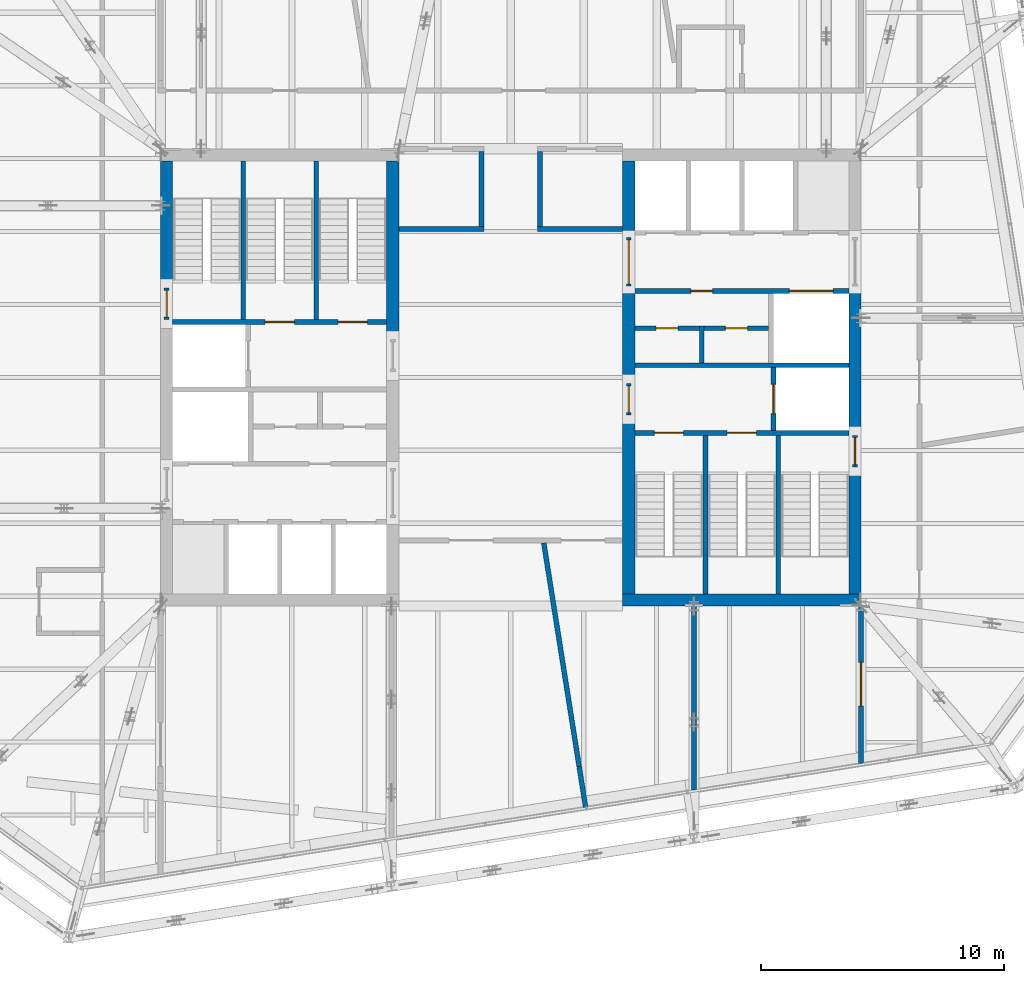
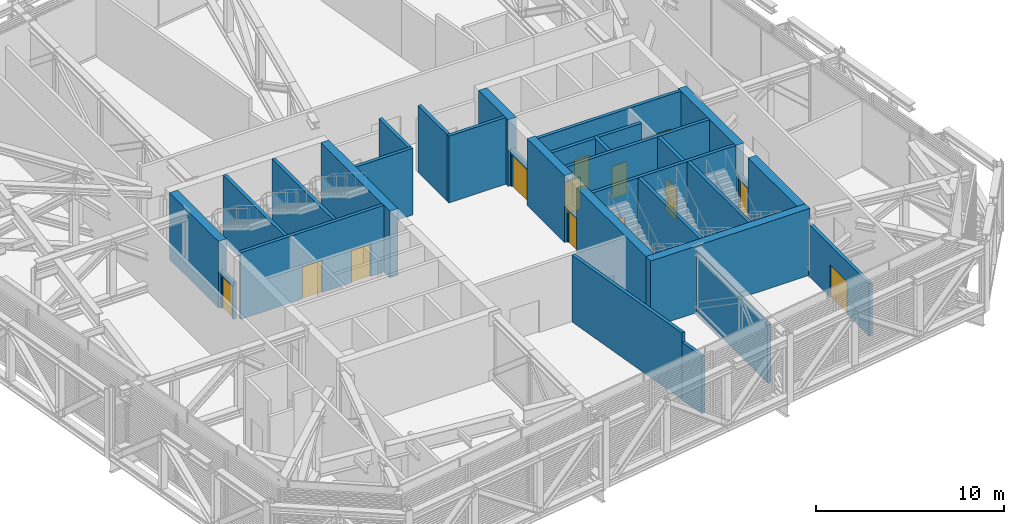
# One storey, part 22 of 32: 31 walls, 14 doors, 14 openings.
"""IFC4 building model written with IfcOpenShell, lengths in metres."""

from ifc_helpers import new_model, si_unit, direction, frame, frame_2d, origin, place, context, subcontext, project, spatial, rectangle, extrude, material, layer, layer_set, type_object, element, fill, save


model = new_model("IFC4")

# Units and contexts
model_context = context("Model", 3, precision=1e-05, world=origin(), true_north=direction((0.0, 1.0)))
body_context = subcontext(model_context, "Body", "Model", "MODEL_VIEW")
ifc_project = project(units=[si_unit("LENGTHUNIT", "METRE"), si_unit("AREAUNIT", "SQUARE_METRE"), si_unit("VOLUMEUNIT", "CUBIC_METRE"), si_unit("PLANEANGLEUNIT", "RADIAN"), si_unit("MASSUNIT", "GRAM", prefix="KILO")], contexts=[model_context])

# Site, building, storey
site_placement = place(None, origin())
site = spatial("IfcSite", under=ifc_project, at=site_placement, CompositionType="ELEMENT")
building_placement = place(site_placement, origin())
building = spatial("IfcBuilding", under=site, at=building_placement, Name="Millrace Tower", CompositionType="ELEMENT")
storey_placement = place(building_placement, frame((0.0, 0.0, 266.89990234375)))
storey = spatial("IfcBuildingStorey", under=building, at=storey_placement, Name="L61", CompositionType="ELEMENT", Elevation=266.89990234375)

# Walls
ifc_material_1 = material(Name="Concrete C60", Category="concrete")
ifc_layer_1 = layer(ifc_material_1, 0.5)
ifc_layer_set_1 = layer_set([ifc_layer_1], Name="Concrete C60")
wall_type_1 = type_object("IfcWallType", Name="Core wall 500 Concrete C60", PredefinedType="SHEAR", material=ifc_layer_set_1)
wall_1_placement = place(storey_placement, frame((-14.14990234375, 3.679931640625, 0.0), z_axis=(0.0, 0.0, 1.0), x_axis=(0.0, 1.0, 0.0)))
element("IfcWall", 1, at=wall_1_placement, inside=storey, type_object=wall_type_1, Name="Core wall W L61", PredefinedType="SHEAR", context=body_context, shape_type="SweptSolid", body=[
    extrude(rectangle(XDim=5.219970703125, YDim=0.5, at=frame_2d((2.60986328125, 0.0))), origin(), (0.0, 0.0, 1.0), 4.340087890625),
])
wall_2_placement = place(storey_placement, frame((-4.85009765625, 1.550048828125, 0.0), z_axis=(0.0, 0.0, 1.0), x_axis=(0.0, 1.0, 0.0)))
element("IfcWall", 2, at=wall_2_placement, inside=storey, type_object=wall_type_1, Name="Core wall W L61", PredefinedType="SHEAR", context=body_context, shape_type="SweptSolid", body=[
    extrude(rectangle(XDim=7.349853515625, YDim=0.5, at=frame_2d((3.6748046875, 0.0))), origin(), (0.0, 0.0, 1.0), 4.340087890625),
])
wall_3_placement = place(storey_placement, frame((14.39990234375, -9.14990234375, 0.0), z_axis=(0.0, 0.0, 1.0), x_axis=(-1.0, 0.0, 0.0)))
element("IfcWall", 3, at=wall_3_placement, inside=storey, type_object=wall_type_1, Name="Core wall E L61", PredefinedType="SHEAR", context=body_context, shape_type="SweptSolid", body=[
    extrude(rectangle(XDim=9.7998046875, YDim=0.5, at=frame_2d((4.89990234375, 0.0))), origin(), (0.0, 0.0, 1.0), 4.340087890625),
])
wall_4_placement = place(storey_placement, frame((14.14990234375, 3.75, 0.0), z_axis=(0.0, 0.0, 1.0), x_axis=(0.0, -1.0, 0.0)))
element("IfcWall", 4, at=wall_4_placement, inside=storey, type_object=wall_type_1, Name="Core wall E L61", PredefinedType="SHEAR", context=body_context, shape_type="SweptSolid", body=[
    extrude(rectangle(XDim=6.1298828125, YDim=0.5, at=frame_2d((3.06494140625, 0.0))), origin(), (0.0, 0.0, 1.0), 4.340087890625),
])
wall_5_placement = place(storey_placement, frame((14.14990234375, -3.679931640625, 0.0), z_axis=(0.0, 0.0, 1.0), x_axis=(0.0, -1.0, 0.0)))
element("IfcWall", 5, at=wall_5_placement, inside=storey, type_object=wall_type_1, Name="Core wall E L61", PredefinedType="SHEAR", context=body_context, shape_type="SweptSolid", body=[
    extrude(rectangle(XDim=5.219970703125, YDim=0.5, at=frame_2d((2.60986328125, 0.0))), origin(), (0.0, 0.0, 1.0), 4.340087890625),
])
wall_6_placement = place(storey_placement, frame((4.85009765625, 8.89990234375, 0.0), z_axis=(0.0, 0.0, 1.0), x_axis=(0.0, -1.0, 0.0)))
element("IfcWall", 6, at=wall_6_placement, inside=storey, type_object=wall_type_1, Name="Core wall E L61", PredefinedType="SHEAR", context=body_context, shape_type="SweptSolid", body=[
    extrude(rectangle(XDim=3.14990234375, YDim=0.5, at=frame_2d((1.574951171875, 0.0))), origin(), (0.0, 0.0, 1.0), 4.340087890625),
])
wall_7_placement = place(storey_placement, frame((4.85009765625, 3.75, 0.0), z_axis=(0.0, 0.0, 1.0), x_axis=(0.0, -1.0, 0.0)))
element("IfcWall", 7, at=wall_7_placement, inside=storey, type_object=wall_type_1, Name="Core wall E L61", PredefinedType="SHEAR", context=body_context, shape_type="SweptSolid", body=[
    extrude(rectangle(XDim=4.0, YDim=0.5, at=frame_2d((2.0, 0.0))), origin(), (0.0, 0.0, 1.0), 4.340087890625),
])
wall_8_placement = place(storey_placement, frame((4.85009765625, -1.550048828125, 0.0), z_axis=(0.0, 0.0, 1.0), x_axis=(0.0, -1.0, 0.0)))
element("IfcWall", 8, at=wall_8_placement, inside=storey, type_object=wall_type_1, Name="Core wall E L61", PredefinedType="SHEAR", context=body_context, shape_type="SweptSolid", body=[
    extrude(rectangle(XDim=7.349853515625, YDim=0.5, at=frame_2d((3.6748046875, 0.0))), origin(), (0.0, 0.0, 1.0), 4.340087890625),
])
ifc_material_2 = material(Name="Masonry partition, fire-rated", Category="masonry")
ifc_layer_2 = layer(ifc_material_2, 0.199951171875)
ifc_layer_set_2 = layer_set([ifc_layer_2], Name="Masonry partition, fire-rated")
wall_type_2 = type_object("IfcWallType", Name="Corridor wall 200", PredefinedType="PARTITIONING", material=ifc_layer_set_2)
wall_9_placement = place(storey_placement, frame((1.35595703125, -6.800537109375, 0.0), z_axis=(0.0, 0.0, 1.0), x_axis=(0.156400142674, -0.987693776113, 0.0)))
element("IfcWall", 9, at=wall_9_placement, inside=storey, type_object=wall_type_2, Name="Corridor wall L61", PredefinedType="PARTITIONING", context=body_context, shape_type="SweptSolid", body=[
    extrude(rectangle(XDim=9.311279296875, YDim=0.199951171875, at=frame_2d((4.65576171875, 0.0))), origin(), (0.0, 0.0, 1.0), 4.340087890625),
])
wall_10_placement = place(storey_placement, frame((2.812255859375, -15.997314453125, 0.0), z_axis=(0.0, 0.0, 1.0), x_axis=(0.156318337667, -0.987706726366, 0.0)))
element("IfcWall", 10, at=wall_10_placement, inside=storey, type_object=wall_type_2, Name="Corridor wall L61", PredefinedType="PARTITIONING", context=body_context, shape_type="SweptSolid", body=[
    extrude(rectangle(XDim=1.69140625, YDim=0.199951171875, at=frame_2d((0.845703125, 0.0))), origin(), (0.0, 0.0, 1.0), 3.74072265625),
])
for number, where, z_axis, x_axis, name in (
    (11, (-4.60009765625, 6.10009765625, 0.0), (0.0, 0.0, 1.0), (1.0, 0.0, 0.0), "Corridor wall L61"),
    (12, (1.10009765625, 6.10009765625, 0.0), (0.0, 0.0, 1.0), (1.0, 0.0, 0.0), "Corridor wall L61"),
):
    element("IfcWall", number, at=place(storey_placement, frame(where, z_axis=z_axis, x_axis=x_axis)), inside=storey, type_object=wall_type_2, Name=name, PredefinedType="PARTITIONING", context=body_context, shape_type="SweptSolid", body=[
        extrude(rectangle(XDim=3.5, YDim=0.199951171875, at=frame_2d((1.75, 0.0))), origin(), (0.0, 0.0, 1.0), 4.340087890625),
    ])

# Wall, opening, door
wall_11_placement = place(storey_placement, frame((14.39990234375, -15.87451171875, 0.0), z_axis=(0.0, 0.0, 1.0), x_axis=(0.0, 1.0, 0.0)))
wall_11 = element("IfcWall", 13, at=wall_11_placement, inside=storey, type_object=wall_type_2, Name="Corridor wall L61", PredefinedType="PARTITIONING", context=body_context, shape_type="SweptSolid", body=[
    extrude(rectangle(XDim=6.474609375, YDim=0.199951171875, at=frame_2d((3.2373046875, 0.0))), origin(), (0.0, 0.0, 1.0), 3.392578125),
])
opening_1_placement = place(wall_11_placement, frame((2.362548828125, 0.0, 0.0)))
opening_1 = element("IfcOpeningElement", 14, at=opening_1_placement, cuts=wall_11, Name="Opening 61-P016", PredefinedType="OPENING", context=body_context, shape_type="SweptSolid", body=[
    extrude(rectangle(XDim=1.800048828125, YDim=2.10009765625, at=frame_2d((0.89990234375, 1.050048828125))), frame((0.0, 0.10986328125, 0.0), z_axis=(0.0, -1.0, 0.0), x_axis=(1.0, 0.0, 0.0)), (0.0, 0.0, 1.0), 0.219970703125),
])
ifc_material_3 = material(Name="Steel door set, fire-rated", Category="steel")
door_type_1 = type_object("IfcDoorType", Name="Plant room door 1800 x 2100", OperationType="DOUBLE_DOOR_SINGLE_SWING", PredefinedType="DOOR", material=ifc_material_3)
door_1_placement = place(opening_1_placement, origin())
door_1 = element("IfcDoor", 15, at=door_1_placement, inside=storey, type_object=door_type_1, Name="Door 61-P016", OperationType="DOUBLE_DOOR_SINGLE_SWING", OverallHeight=2.10009765625, OverallWidth=1.800048828125, PredefinedType="DOOR", context=body_context, shape_type="SweptSolid", body=[
    extrude(rectangle(XDim=1.800048828125, YDim=2.10009765625, at=frame_2d((0.89990234375, 1.050048828125))), frame((0.0, 0.02490234375, 0.0), z_axis=(0.0, -1.0, 0.0), x_axis=(1.0, 0.0, 0.0)), (0.0, 0.0, 1.0), 0.050048828125),
])
fill(opening_1, door_1)

# Walls
wall_12_placement = place(storey_placement, frame((7.533203125, -16.962158203125, 0.0), z_axis=(0.0, 0.0, 1.0), x_axis=(0.0, 1.0, 0.0)))
element("IfcWall", 16, at=wall_12_placement, inside=storey, type_object=wall_type_2, Name="Corridor wall L61", PredefinedType="PARTITIONING", context=body_context, shape_type="SweptSolid", body=[
    extrude(rectangle(XDim=7.562255859375, YDim=0.199951171875, at=frame_2d((3.78125, 0.0))), origin(), (0.0, 0.0, 1.0), 3.76513671875),
])
for number, where, z_axis, x_axis, name in (
    (17, (1.199951171875, 6.199951171875, 0.0), (0.0, 0.0, 1.0), (0.0, 1.0, 0.0), "Corridor wall L61"),
    (18, (-1.199951171875, 6.199951171875, 0.0), (0.0, 0.0, 1.0), (0.0, 1.0, 0.0), "Corridor wall L61"),
):
    element("IfcWall", number, at=place(storey_placement, frame(where, z_axis=z_axis, x_axis=x_axis)), inside=storey, type_object=wall_type_2, Name=name, PredefinedType="PARTITIONING", context=body_context, shape_type="SweptSolid", body=[
        extrude(rectangle(XDim=3.10009765625, YDim=0.199951171875, at=frame_2d((1.550048828125, 0.0))), origin(), (0.0, 0.0, 1.0), 4.340087890625),
    ])

# Wall, openings, doors
ifc_material_4 = material(Name="Masonry partition, fire-rated", Category="masonry")
ifc_layer_3 = layer(ifc_material_4, 0.199951171875)
ifc_layer_set_3 = layer_set([ifc_layer_3], Name="Masonry partition, fire-rated")
wall_type_3 = type_object("IfcWallType", Name="Lift shaft wall 200", PredefinedType="PARTITIONING", material=ifc_layer_set_3)
wall_13_placement = place(storey_placement, frame((13.89990234375, 3.550048828125, 0.0), z_axis=(0.0, 0.0, 1.0), x_axis=(-1.0, 0.0, 0.0)))
wall_13 = element("IfcWall", 19, at=wall_13_placement, inside=storey, type_object=wall_type_3, Name="Lift shaft wall E L61", PredefinedType="PARTITIONING", context=body_context, shape_type="SweptSolid", body=[
    extrude(rectangle(XDim=8.7998046875, YDim=0.199951171875, at=frame_2d((4.39990234375, 0.0))), origin(), (0.0, 0.0, 1.0), 4.340087890625),
])
opening_2_placement = place(wall_13_placement, frame((0.64990234375, 0.0, 0.0)))
opening_2 = element("IfcOpeningElement", 20, at=opening_2_placement, cuts=wall_13, Name="Opening 61-LD13", PredefinedType="OPENING", context=body_context, shape_type="SweptSolid", body=[
    extrude(rectangle(XDim=1.800048828125, YDim=2.10009765625, at=frame_2d((0.89990234375, 1.050048828125))), frame((0.0, 0.10986328125, 0.0), z_axis=(0.0, -1.0, 0.0), x_axis=(1.0, 0.0, 0.0)), (0.0, 0.0, 1.0), 0.219970703125),
])
opening_3_placement = place(wall_13_placement, frame((5.60009765625, 0.0, 0.0)))
opening_3 = element("IfcOpeningElement", 21, at=opening_3_placement, cuts=wall_13, Name="Opening 61-C014", PredefinedType="OPENING", context=body_context, shape_type="SweptSolid", body=[
    extrude(rectangle(XDim=0.89990234375, YDim=2.10009765625, at=frame_2d((0.449951171875, 1.050048828125))), frame((0.0, 0.10986328125, 0.0), z_axis=(0.0, -1.0, 0.0), x_axis=(1.0, 0.0, 0.0)), (0.0, 0.0, 1.0), 0.219970703125),
])
ifc_material_5 = material(Name="Stainless steel, fire-rated", Category="steel")
door_type_2 = type_object("IfcDoorType", Name="Lift landing door 1800 x 2100", OperationType="DOUBLE_DOOR_SLIDING", PredefinedType="DOOR", material=ifc_material_5)
door_2_placement = place(opening_2_placement, origin())
door_2 = element("IfcDoor", 22, at=door_2_placement, inside=storey, type_object=door_type_2, Name="Lift landing door LF13 L61", OperationType="DOUBLE_DOOR_SLIDING", OverallHeight=2.10009765625, OverallWidth=1.800048828125, PredefinedType="DOOR", context=body_context, shape_type="SweptSolid", body=[
    extrude(rectangle(XDim=1.800048828125, YDim=2.10009765625, at=frame_2d((0.89990234375, 1.050048828125))), frame((0.0, 0.02490234375, 0.0), z_axis=(0.0, -1.0, 0.0), x_axis=(1.0, 0.0, 0.0)), (0.0, 0.0, 1.0), 0.050048828125),
])
fill(opening_2, door_2)
ifc_material_6 = material(Name="Steel door, fire-rated", Category="steel")
door_type_3 = type_object("IfcDoorType", Name="Service room door 900 x 2100", OperationType="SINGLE_SWING_LEFT", PredefinedType="DOOR", material=ifc_material_6)
door_3_placement = place(opening_3_placement, frame((0.89990234375, 0.0, 0.0), z_axis=(0.0, 0.0, 1.0), x_axis=(-1.0, 0.0, 0.0)))
door_3 = element("IfcDoor", 23, at=door_3_placement, inside=storey, type_object=door_type_3, Name="Service room door 61-C014", OperationType="SINGLE_SWING_LEFT", OverallHeight=2.10009765625, OverallWidth=0.89990234375, PredefinedType="DOOR", context=body_context, shape_type="SweptSolid", body=[
    extrude(rectangle(XDim=0.89990234375, YDim=2.10009765625, at=frame_2d((0.449951171875, 1.050048828125))), frame((0.0, 0.02490234375, 0.0), z_axis=(0.0, -1.0, 0.0), x_axis=(1.0, 0.0, 0.0)), (0.0, 0.0, 1.0), 0.050048828125),
])
fill(opening_3, door_3)

# Wall
wall_14_placement = place(storey_placement, frame((13.89990234375, 0.5, 0.0), z_axis=(0.0, 0.0, 1.0), x_axis=(-1.0, 0.0, 0.0)))
element("IfcWall", 24, at=wall_14_placement, inside=storey, type_object=wall_type_3, Name="Lift shaft wall E L61", PredefinedType="PARTITIONING", context=body_context, shape_type="SweptSolid", body=[
    extrude(rectangle(XDim=8.7998046875, YDim=0.199951171875, at=frame_2d((4.39990234375, 0.0))), origin(), (0.0, 0.0, 1.0), 4.340087890625),
])

# Wall, opening, door
wall_15_placement = place(storey_placement, frame((10.800048828125, 0.39990234375, 0.0), z_axis=(0.0, 0.0, 1.0), x_axis=(0.0, -1.0, 0.0)))
wall_15 = element("IfcWall", 25, at=wall_15_placement, inside=storey, type_object=wall_type_3, Name="Lift shaft wall E L61", PredefinedType="PARTITIONING", context=body_context, shape_type="SweptSolid", body=[
    extrude(rectangle(XDim=2.579833984375, YDim=0.199951171875, at=frame_2d((1.2900390625, 0.0))), origin(), (0.0, 0.0, 1.0), 4.340087890625),
])
opening_4_placement = place(wall_15_placement, frame((0.68994140625, 0.0, 0.0)))
opening_4 = element("IfcOpeningElement", 26, at=opening_4_placement, cuts=wall_15, Name="Opening 61-LD16", PredefinedType="OPENING", context=body_context, shape_type="SweptSolid", body=[
    extrude(rectangle(XDim=1.199951171875, YDim=2.10009765625, at=frame_2d((0.60009765625, 1.050048828125))), frame((0.0, 0.10986328125, 0.0), z_axis=(0.0, -1.0, 0.0), x_axis=(1.0, 0.0, 0.0)), (0.0, 0.0, 1.0), 0.219970703125),
])
ifc_material_7 = material(Name="Stainless steel, fire-rated", Category="steel")
door_type_4 = type_object("IfcDoorType", Name="Lift landing door 1200 x 2100", OperationType="DOUBLE_DOOR_SLIDING", PredefinedType="DOOR", material=ifc_material_7)
door_4_placement = place(opening_4_placement, origin())
door_4 = element("IfcDoor", 27, at=door_4_placement, inside=storey, type_object=door_type_4, Name="Lift landing door LF16 L61", OperationType="DOUBLE_DOOR_SLIDING", OverallHeight=2.10009765625, OverallWidth=1.199951171875, PredefinedType="DOOR", context=body_context, shape_type="SweptSolid", body=[
    extrude(rectangle(XDim=1.199951171875, YDim=2.10009765625, at=frame_2d((0.60009765625, 1.050048828125))), frame((0.0, 0.02490234375, 0.0), z_axis=(0.0, -1.0, 0.0), x_axis=(1.0, 0.0, 0.0)), (0.0, 0.0, 1.0), 0.050048828125),
])
fill(opening_4, door_4)

ifc_material_8 = material(Name="Masonry partition, fire-rated", Category="masonry")
ifc_layer_4 = layer(ifc_material_8, 0.199951171875)
ifc_layer_set_4 = layer_set([ifc_layer_4], Name="Masonry partition, fire-rated")
wall_type_4 = type_object("IfcWallType", Name="Lobby wall 200", PredefinedType="PARTITIONING", material=ifc_layer_set_4)
wall_16_placement = place(storey_placement, frame((4.85009765625, 5.75, 0.0), z_axis=(0.0, 0.0, 1.0), x_axis=(0.0, -1.0, 0.0)))
wall_16 = element("IfcWall", 28, at=wall_16_placement, inside=storey, type_object=wall_type_4, Name="Lobby wall E L61", PredefinedType="PARTITIONING", context=body_context, shape_type="SweptSolid", body=[
    extrude(rectangle(XDim=2.0, YDim=0.199951171875, at=frame_2d((1.0, 0.0))), origin(), (0.0, 0.0, 1.0), 2.400146484375),
])
opening_5_placement = place(wall_16_placement, frame((0.10009765625, 0.0, 0.0)))
opening_5 = element("IfcOpeningElement", 29, at=opening_5_placement, cuts=wall_16, Name="Opening 61-C012", PredefinedType="OPENING", context=body_context, shape_type="SweptSolid", body=[
    extrude(rectangle(XDim=1.800048828125, YDim=2.10009765625, at=frame_2d((0.89990234375, 1.050048828125))), frame((0.0, 0.10986328125, 0.0), z_axis=(0.0, -1.0, 0.0), x_axis=(1.0, 0.0, 0.0)), (0.0, 0.0, 1.0), 0.219970703125),
])
ifc_material_9 = material(Name="Steel door, fire-rated", Category="steel")
door_type_5 = type_object("IfcDoorType", Name="Lobby door 1800 x 2100", OperationType="DOUBLE_DOOR_SINGLE_SWING", PredefinedType="DOOR", material=ifc_material_9)
door_5_placement = place(opening_5_placement, frame((1.800048828125, 0.0, 0.0), z_axis=(0.0, 0.0, 1.0), x_axis=(-1.0, 0.0, 0.0)))
door_5 = element("IfcDoor", 30, at=door_5_placement, inside=storey, type_object=door_type_5, Name="Lobby door 61-C012", OperationType="DOUBLE_DOOR_SINGLE_SWING", OverallHeight=2.10009765625, OverallWidth=1.800048828125, PredefinedType="DOOR", context=body_context, shape_type="SweptSolid", body=[
    extrude(rectangle(XDim=1.800048828125, YDim=2.10009765625, at=frame_2d((0.89990234375, 1.050048828125))), frame((0.0, 0.02490234375, 0.0), z_axis=(0.0, -1.0, 0.0), x_axis=(1.0, 0.0, 0.0)), (0.0, 0.0, 1.0), 0.050048828125),
])
fill(opening_5, door_5)

wall_17_placement = place(storey_placement, frame((4.85009765625, -0.25, 0.0), z_axis=(0.0, 0.0, 1.0), x_axis=(0.0, -1.0, 0.0)))
wall_17 = element("IfcWall", 31, at=wall_17_placement, inside=storey, type_object=wall_type_4, Name="Lobby wall E L61", PredefinedType="PARTITIONING", context=body_context, shape_type="SweptSolid", body=[
    extrude(rectangle(XDim=1.300048828125, YDim=0.199951171875, at=frame_2d((0.64990234375, 0.0))), origin(), (0.0, 0.0, 1.0), 2.400146484375),
])
opening_6_placement = place(wall_17_placement, frame((0.10009765625, 0.0, 0.0)))
opening_6 = element("IfcOpeningElement", 32, at=opening_6_placement, cuts=wall_17, Name="Opening 61-C013", PredefinedType="OPENING", context=body_context, shape_type="SweptSolid", body=[
    extrude(rectangle(XDim=1.10009765625, YDim=2.10009765625, at=frame_2d((0.550048828125, 1.050048828125))), frame((0.0, 0.10986328125, 0.0), z_axis=(0.0, -1.0, 0.0), x_axis=(1.0, 0.0, 0.0)), (0.0, 0.0, 1.0), 0.219970703125),
])
ifc_material_10 = material(Name="Steel door, fire-rated", Category="steel")
door_type_6 = type_object("IfcDoorType", Name="Lobby door 1100 x 2100", OperationType="SINGLE_SWING_LEFT", PredefinedType="DOOR", material=ifc_material_10)
door_6_placement = place(opening_6_placement, frame((1.10009765625, 0.0, 0.0), z_axis=(0.0, 0.0, 1.0), x_axis=(-1.0, 0.0, 0.0)))
door_6 = element("IfcDoor", 33, at=door_6_placement, inside=storey, type_object=door_type_6, Name="Lobby door 61-C013", OperationType="SINGLE_SWING_RIGHT", OverallHeight=2.10009765625, OverallWidth=1.10009765625, PredefinedType="DOOR", context=body_context, shape_type="SweptSolid", body=[
    extrude(rectangle(XDim=1.10009765625, YDim=2.10009765625, at=frame_2d((0.550048828125, 1.050048828125))), frame((0.0, 0.02490234375, 0.0), z_axis=(0.0, -1.0, 0.0), x_axis=(1.0, 0.0, 0.0)), (0.0, 0.0, 1.0), 0.050048828125),
])
fill(opening_6, door_6)

# Wall, openings, doors
ifc_material_11 = material(Name="Masonry partition, fire-rated", Category="masonry")
ifc_layer_5 = layer(ifc_material_11, 0.199951171875)
ifc_layer_set_5 = layer_set([ifc_layer_5], Name="Masonry partition, fire-rated")
wall_type_5 = type_object("IfcWallType", Name="Room partition 200", PredefinedType="PARTITIONING", material=ifc_layer_set_5)
wall_18_placement = place(storey_placement, frame((10.60009765625, 2.02490234375, 0.0), z_axis=(0.0, 0.0, 1.0), x_axis=(-1.0, 0.0, 0.0)))
wall_18 = element("IfcWall", 34, at=wall_18_placement, inside=storey, type_object=wall_type_5, Name="Room partition E L61", PredefinedType="PARTITIONING", context=body_context, shape_type="SweptSolid", body=[
    extrude(rectangle(XDim=5.5, YDim=0.199951171875, at=frame_2d((2.75, 0.0))), origin(), (0.0, 0.0, 1.0), 4.340087890625),
])
opening_7_placement = place(wall_18_placement, frame((0.875, 0.0, 0.0)))
opening_7 = element("IfcOpeningElement", 35, at=opening_7_placement, cuts=wall_18, Name="Opening 61-C015", PredefinedType="OPENING", context=body_context, shape_type="SweptSolid", body=[
    extrude(rectangle(XDim=0.89990234375, YDim=2.10009765625, at=frame_2d((0.449951171875, 1.050048828125))), frame((0.0, 0.10986328125, 0.0), z_axis=(0.0, -1.0, 0.0), x_axis=(1.0, 0.0, 0.0)), (0.0, 0.0, 1.0), 0.219970703125),
])
opening_8_placement = place(wall_18_placement, frame((3.72509765625, 0.0, 0.0)))
opening_8 = element("IfcOpeningElement", 36, at=opening_8_placement, cuts=wall_18, Name="Opening 61-C016", PredefinedType="OPENING", context=body_context, shape_type="SweptSolid", body=[
    extrude(rectangle(XDim=0.89990234375, YDim=2.10009765625, at=frame_2d((0.449951171875, 1.050048828125))), frame((0.0, 0.10986328125, 0.0), z_axis=(0.0, -1.0, 0.0), x_axis=(1.0, 0.0, 0.0)), (0.0, 0.0, 1.0), 0.219970703125),
])
door_7_placement = place(opening_7_placement, origin())
door_7 = element("IfcDoor", 37, at=door_7_placement, inside=storey, type_object=door_type_3, Name="Service room door 61-C015", OperationType="SINGLE_SWING_LEFT", OverallHeight=2.10009765625, OverallWidth=0.89990234375, PredefinedType="DOOR", context=body_context, shape_type="SweptSolid", body=[
    extrude(rectangle(XDim=0.89990234375, YDim=2.10009765625, at=frame_2d((0.449951171875, 1.050048828125))), frame((0.0, 0.02490234375, 0.0), z_axis=(0.0, -1.0, 0.0), x_axis=(1.0, 0.0, 0.0)), (0.0, 0.0, 1.0), 0.050048828125),
])
fill(opening_7, door_7)
door_8_placement = place(opening_8_placement, origin())
door_8 = element("IfcDoor", 38, at=door_8_placement, inside=storey, type_object=door_type_3, Name="Service room door 61-C016", OperationType="SINGLE_SWING_RIGHT", OverallHeight=2.10009765625, OverallWidth=0.89990234375, PredefinedType="DOOR", context=body_context, shape_type="SweptSolid", body=[
    extrude(rectangle(XDim=0.89990234375, YDim=2.10009765625, at=frame_2d((0.449951171875, 1.050048828125))), frame((0.0, 0.02490234375, 0.0), z_axis=(0.0, -1.0, 0.0), x_axis=(1.0, 0.0, 0.0)), (0.0, 0.0, 1.0), 0.050048828125),
])
fill(opening_8, door_8)

# Wall
wall_19_placement = place(storey_placement, frame((7.85009765625, 2.125, 0.0), z_axis=(0.0, 0.0, 1.0), x_axis=(0.0, -1.0, 0.0)))
element("IfcWall", 39, at=wall_19_placement, inside=storey, type_object=wall_type_5, Name="Room partition E L61", PredefinedType="PARTITIONING", context=body_context, shape_type="SweptSolid", body=[
    extrude(rectangle(XDim=1.52490234375, YDim=0.199951171875, at=frame_2d((0.762451171875, 0.0))), origin(), (0.0, 0.0, 1.0), 4.340087890625),
])

# Wall, opening, door
ifc_material_12 = material(Name="Concrete C40", Category="concrete")
ifc_layer_6 = layer(ifc_material_12, 0.199951171875)
ifc_layer_set_6 = layer_set([ifc_layer_6], Name="Concrete C40")
wall_type_6 = type_object("IfcWallType", Name="Stair enclosure wall 200 Concrete C40", PredefinedType="SHEAR", material=ifc_layer_set_6)
wall_20_placement = place(storey_placement, frame((-14.14990234375, 2.3798828125, 0.0), z_axis=(0.0, 0.0, 1.0), x_axis=(0.0, 1.0, 0.0)))
wall_20 = element("IfcWall", 40, at=wall_20_placement, inside=storey, type_object=wall_type_6, Name="Stair enclosure wall W L61", PredefinedType="SHEAR", context=body_context, shape_type="SweptSolid", body=[
    extrude(rectangle(XDim=1.300048828125, YDim=0.199951171875, at=frame_2d((0.64990234375, 0.0))), origin(), (0.0, 0.0, 1.0), 2.400146484375),
])
opening_9_placement = place(wall_20_placement, frame((0.10009765625, 0.0, 0.0)))
opening_9 = element("IfcOpeningElement", 41, at=opening_9_placement, cuts=wall_20, Name="Opening 61-C002", PredefinedType="OPENING", context=body_context, shape_type="SweptSolid", body=[
    extrude(rectangle(XDim=1.10009765625, YDim=2.10009765625, at=frame_2d((0.550048828125, 1.050048828125))), frame((0.0, 0.10986328125, 0.0), z_axis=(0.0, -1.0, 0.0), x_axis=(1.0, 0.0, 0.0)), (0.0, 0.0, 1.0), 0.219970703125),
])
ifc_material_13 = material(Name="Steel door, fire-rated", Category="steel")
door_type_7 = type_object("IfcDoorType", Name="Stair door 1100 x 2100", OperationType="SINGLE_SWING_LEFT", PredefinedType="DOOR", material=ifc_material_13)
door_9_placement = place(opening_9_placement, origin())
door_9 = element("IfcDoor", 42, at=door_9_placement, inside=storey, type_object=door_type_7, Name="Stair door 61-C002", OperationType="SINGLE_SWING_RIGHT", OverallHeight=2.10009765625, OverallWidth=1.10009765625, PredefinedType="DOOR", context=body_context, shape_type="SweptSolid", body=[
    extrude(rectangle(XDim=1.10009765625, YDim=2.10009765625, at=frame_2d((0.550048828125, 1.050048828125))), frame((0.0, 0.02490234375, 0.0), z_axis=(0.0, -1.0, 0.0), x_axis=(1.0, 0.0, 0.0)), (0.0, 0.0, 1.0), 0.050048828125),
])
fill(opening_9, door_9)

# Wall, openings, doors
wall_21_placement = place(storey_placement, frame((-13.89990234375, 2.280029296875, 0.0), z_axis=(0.0, 0.0, 1.0), x_axis=(1.0, 0.0, 0.0)))
wall_21 = element("IfcWall", 43, at=wall_21_placement, inside=storey, type_object=wall_type_6, Name="Stair enclosure wall W L61", PredefinedType="SHEAR", context=body_context, shape_type="SweptSolid", body=[
    extrude(rectangle(XDim=8.7998046875, YDim=0.199951171875, at=frame_2d((4.39990234375, 0.0))), origin(), (0.0, 0.0, 1.0), 4.340087890625),
])
opening_10_placement = place(wall_21_placement, frame((3.800048828125, 0.0, 0.0)))
opening_10 = element("IfcOpeningElement", 44, at=opening_10_placement, cuts=wall_21, Name="Opening 61-C008", PredefinedType="OPENING", context=body_context, shape_type="SweptSolid", body=[
    extrude(rectangle(XDim=1.199951171875, YDim=2.10009765625, at=frame_2d((0.60009765625, 1.050048828125))), frame((0.0, 0.10986328125, 0.0), z_axis=(0.0, -1.0, 0.0), x_axis=(1.0, 0.0, 0.0)), (0.0, 0.0, 1.0), 0.219970703125),
])
opening_11_placement = place(wall_21_placement, frame((6.800048828125, 0.0, 0.0)))
opening_11 = element("IfcOpeningElement", 45, at=opening_11_placement, cuts=wall_21, Name="Opening 61-C009", PredefinedType="OPENING", context=body_context, shape_type="SweptSolid", body=[
    extrude(rectangle(XDim=1.199951171875, YDim=2.10009765625, at=frame_2d((0.60009765625, 1.050048828125))), frame((0.0, 0.10986328125, 0.0), z_axis=(0.0, -1.0, 0.0), x_axis=(1.0, 0.0, 0.0)), (0.0, 0.0, 1.0), 0.219970703125),
])
ifc_material_14 = material(Name="Steel door, fire-rated", Category="steel")
door_type_8 = type_object("IfcDoorType", Name="Stair door 1200 x 2100", OperationType="SINGLE_SWING_LEFT", PredefinedType="DOOR", material=ifc_material_14)
door_10_placement = place(opening_10_placement, frame((1.199951171875, 0.0, 0.0), z_axis=(0.0, 0.0, 1.0), x_axis=(-1.0, 0.0, 0.0)))
door_10 = element("IfcDoor", 46, at=door_10_placement, inside=storey, type_object=door_type_8, Name="Stair door 61-C008", OperationType="SINGLE_SWING_LEFT", OverallHeight=2.10009765625, OverallWidth=1.199951171875, PredefinedType="DOOR", context=body_context, shape_type="SweptSolid", body=[
    extrude(rectangle(XDim=1.199951171875, YDim=2.10009765625, at=frame_2d((0.60009765625, 1.050048828125))), frame((0.0, 0.02490234375, 0.0), z_axis=(0.0, -1.0, 0.0), x_axis=(1.0, 0.0, 0.0)), (0.0, 0.0, 1.0), 0.050048828125),
])
fill(opening_10, door_10)
door_11_placement = place(opening_11_placement, frame((1.199951171875, 0.0, 0.0), z_axis=(0.0, 0.0, 1.0), x_axis=(-1.0, 0.0, 0.0)))
door_11 = element("IfcDoor", 47, at=door_11_placement, inside=storey, type_object=door_type_8, Name="Stair door 61-C009", OperationType="SINGLE_SWING_LEFT", OverallHeight=2.10009765625, OverallWidth=1.199951171875, PredefinedType="DOOR", context=body_context, shape_type="SweptSolid", body=[
    extrude(rectangle(XDim=1.199951171875, YDim=2.10009765625, at=frame_2d((0.60009765625, 1.050048828125))), frame((0.0, 0.02490234375, 0.0), z_axis=(0.0, -1.0, 0.0), x_axis=(1.0, 0.0, 0.0)), (0.0, 0.0, 1.0), 0.050048828125),
])
fill(opening_11, door_11)

# Walls
for number, where, z_axis, x_axis, name in (
    (48, (-11.0, 2.3798828125, 0.0), (0.0, 0.0, 1.0), (0.0, 1.0, 0.0), "Stair enclosure wall W L61"),
    (49, (-8.0, 2.3798828125, 0.0), (0.0, 0.0, 1.0), (0.0, 1.0, 0.0), "Stair enclosure wall W L61"),
):
    element("IfcWall", number, at=place(storey_placement, frame(where, z_axis=z_axis, x_axis=x_axis)), inside=storey, type_object=wall_type_6, Name=name, PredefinedType="SHEAR", context=body_context, shape_type="SweptSolid", body=[
        extrude(rectangle(XDim=6.52001953125, YDim=0.199951171875, at=frame_2d((3.260009765625, 0.0))), origin(), (0.0, 0.0, 1.0), 4.340087890625),
    ])

# Wall, opening, door
wall_22_placement = place(storey_placement, frame((14.14990234375, -2.3798828125, 0.0), z_axis=(0.0, 0.0, 1.0), x_axis=(0.0, -1.0, 0.0)))
wall_22 = element("IfcWall", 50, at=wall_22_placement, inside=storey, type_object=wall_type_6, Name="Stair enclosure wall E L61", PredefinedType="SHEAR", context=body_context, shape_type="SweptSolid", body=[
    extrude(rectangle(XDim=1.300048828125, YDim=0.199951171875, at=frame_2d((0.64990234375, 0.0))), origin(), (0.0, 0.0, 1.0), 2.400146484375),
])
opening_12_placement = place(wall_22_placement, frame((0.10009765625, 0.0, 0.0)))
opening_12 = element("IfcOpeningElement", 51, at=opening_12_placement, cuts=wall_22, Name="Opening 61-C011", PredefinedType="OPENING", context=body_context, shape_type="SweptSolid", body=[
    extrude(rectangle(XDim=1.10009765625, YDim=2.10009765625, at=frame_2d((0.550048828125, 1.050048828125))), frame((0.0, 0.10986328125, 0.0), z_axis=(0.0, -1.0, 0.0), x_axis=(1.0, 0.0, 0.0)), (0.0, 0.0, 1.0), 0.219970703125),
])
door_12_placement = place(opening_12_placement, origin())
door_12 = element("IfcDoor", 52, at=door_12_placement, inside=storey, type_object=door_type_7, Name="Stair door 61-C011", OperationType="SINGLE_SWING_RIGHT", OverallHeight=2.10009765625, OverallWidth=1.10009765625, PredefinedType="DOOR", context=body_context, shape_type="SweptSolid", body=[
    extrude(rectangle(XDim=1.10009765625, YDim=2.10009765625, at=frame_2d((0.550048828125, 1.050048828125))), frame((0.0, 0.02490234375, 0.0), z_axis=(0.0, -1.0, 0.0), x_axis=(1.0, 0.0, 0.0)), (0.0, 0.0, 1.0), 0.050048828125),
])
fill(opening_12, door_12)

# Wall, openings, doors
wall_23_placement = place(storey_placement, frame((13.89990234375, -2.280029296875, 0.0), z_axis=(0.0, 0.0, 1.0), x_axis=(-1.0, 0.0, 0.0)))
wall_23 = element("IfcWall", 53, at=wall_23_placement, inside=storey, type_object=wall_type_6, Name="Stair enclosure wall E L61", PredefinedType="SHEAR", context=body_context, shape_type="SweptSolid", body=[
    extrude(rectangle(XDim=8.7998046875, YDim=0.199951171875, at=frame_2d((4.39990234375, 0.0))), origin(), (0.0, 0.0, 1.0), 4.340087890625),
])
opening_13_placement = place(wall_23_placement, frame((3.800048828125, 0.0, 0.0)))
opening_13 = element("IfcOpeningElement", 54, at=opening_13_placement, cuts=wall_23, Name="Opening 61-C017", PredefinedType="OPENING", context=body_context, shape_type="SweptSolid", body=[
    extrude(rectangle(XDim=1.199951171875, YDim=2.10009765625, at=frame_2d((0.60009765625, 1.050048828125))), frame((0.0, 0.10986328125, 0.0), z_axis=(0.0, -1.0, 0.0), x_axis=(1.0, 0.0, 0.0)), (0.0, 0.0, 1.0), 0.219970703125),
])
opening_14_placement = place(wall_23_placement, frame((6.800048828125, 0.0, 0.0)))
opening_14 = element("IfcOpeningElement", 55, at=opening_14_placement, cuts=wall_23, Name="Opening 61-C018", PredefinedType="OPENING", context=body_context, shape_type="SweptSolid", body=[
    extrude(rectangle(XDim=1.199951171875, YDim=2.10009765625, at=frame_2d((0.60009765625, 1.050048828125))), frame((0.0, 0.10986328125, 0.0), z_axis=(0.0, -1.0, 0.0), x_axis=(1.0, 0.0, 0.0)), (0.0, 0.0, 1.0), 0.219970703125),
])
door_13_placement = place(opening_13_placement, frame((1.199951171875, 0.0, 0.0), z_axis=(0.0, 0.0, 1.0), x_axis=(-1.0, 0.0, 0.0)))
door_13 = element("IfcDoor", 56, at=door_13_placement, inside=storey, type_object=door_type_8, Name="Stair door 61-C017", OperationType="SINGLE_SWING_LEFT", OverallHeight=2.10009765625, OverallWidth=1.199951171875, PredefinedType="DOOR", context=body_context, shape_type="SweptSolid", body=[
    extrude(rectangle(XDim=1.199951171875, YDim=2.10009765625, at=frame_2d((0.60009765625, 1.050048828125))), frame((0.0, 0.02490234375, 0.0), z_axis=(0.0, -1.0, 0.0), x_axis=(1.0, 0.0, 0.0)), (0.0, 0.0, 1.0), 0.050048828125),
])
fill(opening_13, door_13)
door_14_placement = place(opening_14_placement, frame((1.199951171875, 0.0, 0.0), z_axis=(0.0, 0.0, 1.0), x_axis=(-1.0, 0.0, 0.0)))
door_14 = element("IfcDoor", 57, at=door_14_placement, inside=storey, type_object=door_type_8, Name="Stair door 61-C018", OperationType="SINGLE_SWING_LEFT", OverallHeight=2.10009765625, OverallWidth=1.199951171875, PredefinedType="DOOR", context=body_context, shape_type="SweptSolid", body=[
    extrude(rectangle(XDim=1.199951171875, YDim=2.10009765625, at=frame_2d((0.60009765625, 1.050048828125))), frame((0.0, 0.02490234375, 0.0), z_axis=(0.0, -1.0, 0.0), x_axis=(1.0, 0.0, 0.0)), (0.0, 0.0, 1.0), 0.050048828125),
])
fill(opening_14, door_14)

# Walls
for number, where, z_axis, x_axis, name in (
    (58, (11.0, -2.3798828125, 0.0), (0.0, 0.0, 1.0), (0.0, -1.0, 0.0), "Stair enclosure wall E L61"),
    (59, (8.0, -2.3798828125, 0.0), (0.0, 0.0, 1.0), (0.0, -1.0, 0.0), "Stair enclosure wall E L61"),
):
    element("IfcWall", number, at=place(storey_placement, frame(where, z_axis=z_axis, x_axis=x_axis)), inside=storey, type_object=wall_type_6, Name=name, PredefinedType="SHEAR", context=body_context, shape_type="SweptSolid", body=[
        extrude(rectangle(XDim=6.52001953125, YDim=0.199951171875, at=frame_2d((3.260009765625, 0.0))), origin(), (0.0, 0.0, 1.0), 4.340087890625),
    ])

save(model, "model.ifc")
